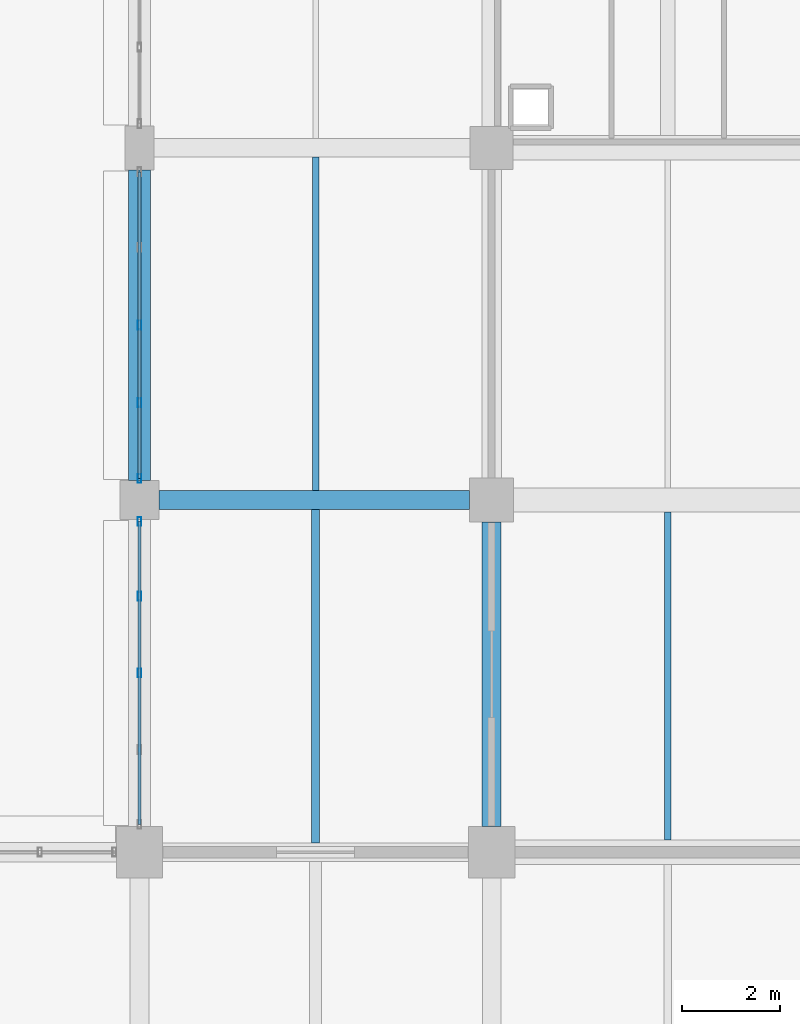
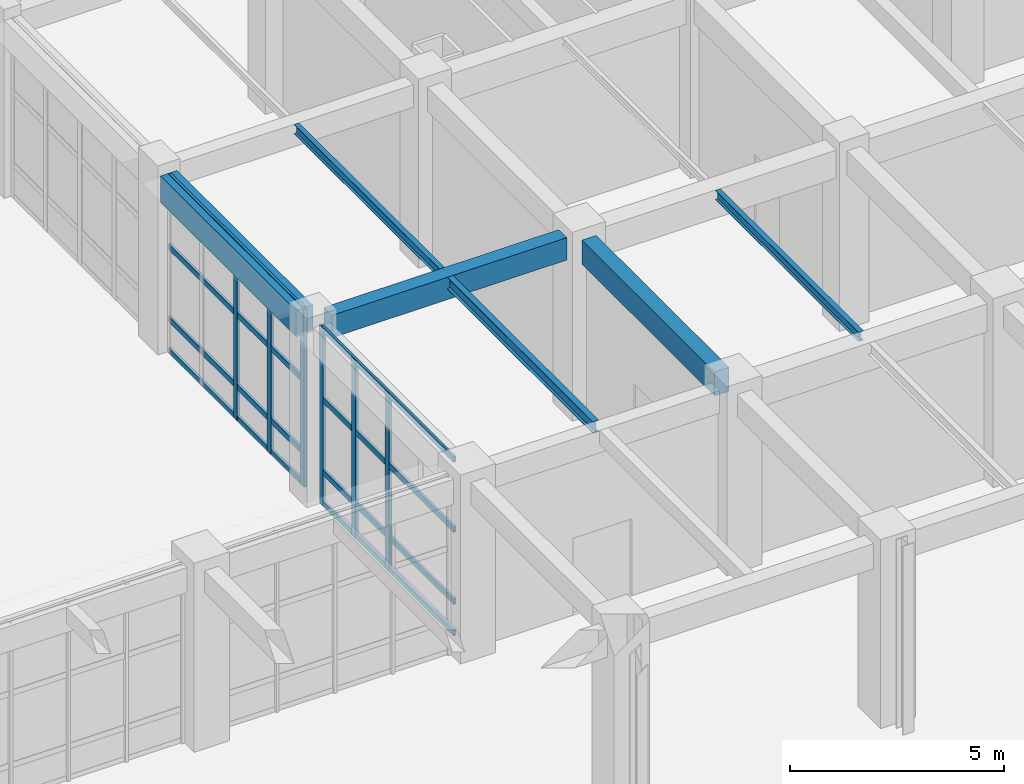
# One storey, part 95 of 160: 14 members, 6 beams, 2 elements without a shape of their own.
"""IFC4 building model written with IfcOpenShell, lengths in metres."""

from ifc_helpers import new_model, si_unit, direction, frame, origin, origin_2d, place, context, subcontext, project, spatial, rectangle, hollow_rectangle, i_section, extrude, material, material_profile, profile_set, type_object, element, aggregate, save


model = new_model("IFC4")

# Units and contexts
model_context = context("Model", 3, precision=1e-05, world=origin(), true_north=direction((0.0, 1.0)))
body_context = subcontext(model_context, "Body", "Model", "MODEL_VIEW")
ifc_project = project(units=[si_unit("LENGTHUNIT", "METRE"), si_unit("AREAUNIT", "SQUARE_METRE"), si_unit("VOLUMEUNIT", "CUBIC_METRE"), si_unit("PLANEANGLEUNIT", "RADIAN"), si_unit("MASSUNIT", "GRAM", prefix="KILO")], contexts=[model_context])

# Site, building, storey
site_placement = place(None, origin())
site = spatial("IfcSite", under=ifc_project, at=site_placement, CompositionType="ELEMENT")
building_placement = place(site_placement, origin())
building = spatial("IfcBuilding", under=site, at=building_placement, Name="Thalmaran Polytechnic", CompositionType="ELEMENT")
storey_placement = place(building_placement, origin())
storey = spatial("IfcBuildingStorey", under=building, at=storey_placement, Name="L00", CompositionType="ELEMENT", Elevation=0.0)

# Beams
ifc_material_1 = material(Name="Concrete C40/50", Category="concrete")
ifc_material_profile_1 = material_profile(ifc_material_1, rectangle(XDim=0.389892578125, YDim=0.68505859375, at=origin_2d()), Name="RC 390x685")
ifc_profile_set_1 = profile_set([ifc_material_profile_1], Name="Concrete C40/50")
beam_type_1 = type_object("IfcBeamType", Name="BM-RC08", PredefinedType="BEAM", material=ifc_profile_set_1)
beam_1_placement = place(storey_placement, frame((136.800048828125, 58.125, 4.74755859375), z_axis=(0.0, 1.0, 0.0), x_axis=(-1.0, 0.0, 0.0)))
element("IfcBeam", 1, at=beam_1_placement, inside=storey, type_object=beam_type_1, Name="Grid Beam B08 L00 Y(19,8)", PredefinedType="BEAM", context=body_context, shape_type="SweptSolid", body=[
    extrude(rectangle(XDim=0.389892578125, YDim=0.68505859375, at=origin_2d()), origin(), (0.0, 0.0, 1.0), 6.22509765625),
])
ifc_material_2 = material(Name="Steel S355", Category="steel")
ifc_material_profile_2 = material_profile(ifc_material_2, i_section(OverallWidth=0.159912109375, OverallDepth=0.330078125, WebThickness=0.007568359375, FlangeThickness=0.011474609375, at=origin_2d()), Name="IPE 330")
ifc_profile_set_2 = profile_set([ifc_material_profile_2], Name="Steel S355")
beam_type_2 = type_object("IfcBeamType", Name="BM-SJ02", PredefinedType="JOIST", material=ifc_profile_set_2)
beam_2_placement = place(storey_placement, frame((133.199951171875, 57.7900390625, 4.925048828125), z_axis=(0.0, 1.0, 0.0), x_axis=(-1.0, 0.0, 0.0)))
element("IfcBeam", 2, at=beam_2_placement, inside=storey, type_object=beam_type_2, Name="Secondary Floor Rib SJ02 L00 (18,8)", PredefinedType="JOIST", context=body_context, shape_type="SweptSolid", body=[
    extrude(i_section(OverallWidth=0.159912109375, OverallDepth=0.330078125, WebThickness=0.007568359375, FlangeThickness=0.011474609375, at=origin_2d()), origin(), (0.0, 0.0, 1.0), 6.820068359375),
])
ifc_material_profile_3 = material_profile(ifc_material_2, i_section(OverallWidth=0.135009765625, OverallDepth=0.27001953125, WebThickness=0.006591796875, FlangeThickness=0.01025390625, at=origin_2d()), Name="IPE 270")
ifc_profile_set_3 = profile_set([ifc_material_profile_3], Name="Steel S355")
beam_type_3 = type_object("IfcBeamType", Name="BM-SJ03", PredefinedType="JOIST", material=ifc_profile_set_3)
beam_3_placement = place(storey_placement, frame((133.199951171875, 64.989990234375, 4.955078125), z_axis=(0.0, 1.0, 0.0), x_axis=(-1.0, 0.0, 0.0)))
element("IfcBeam", 3, at=beam_3_placement, inside=storey, type_object=beam_type_3, Name="Secondary Floor Rib SJ03 L00 (18,9)", PredefinedType="JOIST", context=body_context, shape_type="SweptSolid", body=[
    extrude(i_section(OverallWidth=0.135009765625, OverallDepth=0.27001953125, WebThickness=0.006591796875, FlangeThickness=0.01025390625, at=origin_2d()), origin(), (0.0, 0.0, 1.0), 6.820068359375),
])
beam_4_placement = place(storey_placement, frame((140.39990234375, 57.85009765625, 4.955078125), z_axis=(0.0, 1.0, 0.0), x_axis=(-1.0, 0.0, 0.0)))
element("IfcBeam", 4, at=beam_4_placement, inside=storey, type_object=beam_type_3, Name="Secondary Floor Rib SJ03 L00 (19,8)", PredefinedType="JOIST", context=body_context, shape_type="SweptSolid", body=[
    extrude(i_section(OverallWidth=0.135009765625, OverallDepth=0.27001953125, WebThickness=0.006591796875, FlangeThickness=0.01025390625, at=origin_2d()), origin(), (0.0, 0.0, 1.0), 6.699951171875),
])
ifc_material_profile_4 = material_profile(ifc_material_1, rectangle(XDim=0.449951171875, YDim=0.7548828125, at=origin_2d()), Name="RC 450x755")
ifc_profile_set_4 = profile_set([ifc_material_profile_4], Name="Concrete C40/50")
beam_type_4 = type_object("IfcBeamType", Name="BM-SP02", PredefinedType="SPANDREL", material=ifc_profile_set_4)
beam_5_placement = place(storey_placement, frame((129.60009765625, 65.199951171875, 4.71240234375), z_axis=(0.0, 1.0, 0.0), x_axis=(-1.0, 0.0, 0.0)))
element("IfcBeam", 5, at=beam_5_placement, inside=storey, type_object=beam_type_4, Name="Grid Beam SP02 L00 Y(18,9)", PredefinedType="SPANDREL", context=body_context, shape_type="SweptSolid", body=[
    extrude(rectangle(XDim=0.449951171875, YDim=0.7548828125, at=origin_2d()), origin(), (0.0, 0.0, 1.0), 6.35009765625),
])
ifc_material_profile_5 = material_profile(ifc_material_1, rectangle(XDim=0.3798828125, YDim=0.639892578125, at=origin_2d()), Name="RC 380x640")
ifc_profile_set_5 = profile_set([ifc_material_profile_5], Name="Concrete C40/50")
beam_type_5 = type_object("IfcBeamType", Name="BM-ZB05", PredefinedType="BEAM", material=ifc_profile_set_5)
beam_6_placement = place(storey_placement, frame((130.0, 64.800048828125, 4.77001953125), z_axis=(1.0, 0.0, 0.0), x_axis=(0.0, 1.0, 0.0)))
element("IfcBeam", 6, at=beam_6_placement, inside=storey, type_object=beam_type_5, Name="Grid Beam ZB05 L00 X(18,9)", PredefinedType="BEAM", context=body_context, shape_type="SweptSolid", body=[
    extrude(rectangle(XDim=0.3798828125, YDim=0.639892578125, at=origin_2d()), origin(), (0.0, 0.0, 1.0), 6.35009765625),
])

# Curtain wall, members
ifc_material_3 = material(Name="Aluminium 6063-T6", Category="aluminium")
curtain_wall_type = type_object("IfcCurtainWallType", Name="CW-UC01", PredefinedType="USERDEFINED", material=ifc_material_3)
curtain_wall_1_placement = place(storey_placement, origin())
curtain_wall_1 = element("IfcCurtainWall", 7, at=curtain_wall_1_placement, inside=storey, type_object=curtain_wall_type, Name="Curtain Wall CW-L00-067", ObjectType="UNITISED CURTAIN WALL", PredefinedType="USERDEFINED")
ifc_material_profile_6 = material_profile(ifc_material_3, hollow_rectangle(XDim=0.080078125, YDim=0.179931640625, WallThickness=0.0048828125, at=origin_2d()), Name="RHS 180x80x5.0")
ifc_profile_set_6 = profile_set([ifc_material_profile_6], Name="Aluminium 6063-T6")
member_type_1 = type_object("IfcMemberType", Name="CW-MUL1", PredefinedType="MULLION", material=ifc_profile_set_6)
member_1_placement = place(storey_placement, frame((129.60009765625, 61.262451171875, 0.0), z_axis=(0.0, 0.0, 1.0), x_axis=(1.0, 0.0, 0.0)))
member_1 = element("IfcMember", 8, at=member_1_placement, type_object=member_type_1, Name="CW-L00-067 Mullion 3", PredefinedType="MULLION", context=body_context, shape_type="SweptSolid", body=[
    extrude(hollow_rectangle(XDim=0.080078125, YDim=0.179931640625, WallThickness=0.0048828125, at=origin_2d()), origin(), (0.0, 0.0, 1.0), 5.090087890625),
])
member_2_placement = place(storey_placement, frame((129.60009765625, 62.831298828125, 0.0), z_axis=(0.0, 0.0, 1.0), x_axis=(1.0, 0.0, 0.0)))
member_2 = element("IfcMember", 9, at=member_2_placement, type_object=member_type_1, Name="CW-L00-067 Mullion 4", PredefinedType="MULLION", context=body_context, shape_type="SweptSolid", body=[
    extrude(hollow_rectangle(XDim=0.080078125, YDim=0.179931640625, WallThickness=0.0048828125, at=origin_2d()), origin(), (0.0, 0.0, 1.0), 5.090087890625),
])
member_3_placement = place(storey_placement, frame((129.60009765625, 64.360107421875, 0.0), z_axis=(0.0, 0.0, 1.0), x_axis=(1.0, 0.0, 0.0)))
member_3 = element("IfcMember", 10, at=member_3_placement, type_object=member_type_1, Name="CW-L00-067 Mullion 5", PredefinedType="MULLION", context=body_context, shape_type="SweptSolid", body=[
    extrude(hollow_rectangle(XDim=0.080078125, YDim=0.179931640625, WallThickness=0.0048828125, at=origin_2d()), origin(), (0.0, 0.0, 1.0), 5.090087890625),
])

curtain_wall_2_placement = place(storey_placement, origin())
curtain_wall_2 = element("IfcCurtainWall", 11, at=curtain_wall_2_placement, inside=storey, type_object=curtain_wall_type, Name="Curtain Wall CW-L00-068", ObjectType="UNITISED CURTAIN WALL", PredefinedType="USERDEFINED")
member_4_placement = place(storey_placement, frame((129.60009765625, 65.239990234375, 0.0), z_axis=(0.0, 0.0, 1.0), x_axis=(1.0, 0.0, 0.0)))
member_4 = element("IfcMember", 12, at=member_4_placement, type_object=member_type_1, Name="CW-L00-068 Mullion 1", PredefinedType="MULLION", context=body_context, shape_type="SweptSolid", body=[
    extrude(hollow_rectangle(XDim=0.080078125, YDim=0.179931640625, WallThickness=0.0048828125, at=origin_2d()), origin(), (0.0, 0.0, 1.0), 5.090087890625),
])
member_5_placement = place(storey_placement, frame((129.60009765625, 66.78759765625, 0.0), z_axis=(0.0, 0.0, 1.0), x_axis=(1.0, 0.0, 0.0)))
member_5 = element("IfcMember", 13, at=member_5_placement, type_object=member_type_1, Name="CW-L00-068 Mullion 2", PredefinedType="MULLION", context=body_context, shape_type="SweptSolid", body=[
    extrude(hollow_rectangle(XDim=0.080078125, YDim=0.179931640625, WallThickness=0.0048828125, at=origin_2d()), origin(), (0.0, 0.0, 1.0), 5.090087890625),
])
member_6_placement = place(storey_placement, frame((129.60009765625, 68.375, 0.0), z_axis=(0.0, 0.0, 1.0), x_axis=(1.0, 0.0, 0.0)))
member_6 = element("IfcMember", 14, at=member_6_placement, type_object=member_type_1, Name="CW-L00-068 Mullion 3", PredefinedType="MULLION", context=body_context, shape_type="SweptSolid", body=[
    extrude(hollow_rectangle(XDim=0.080078125, YDim=0.179931640625, WallThickness=0.0048828125, at=origin_2d()), origin(), (0.0, 0.0, 1.0), 5.090087890625),
])

# Member
ifc_material_profile_7 = material_profile(ifc_material_3, hollow_rectangle(XDim=0.070068359375, YDim=0.159912109375, WallThickness=0.00390625, at=origin_2d()), Name="AL 160x70x4.0")
ifc_profile_set_7 = profile_set([ifc_material_profile_7], Name="Aluminium 6063-T6")
member_type_2 = type_object("IfcMemberType", Name="CW-TRN1", PredefinedType="USERDEFINED", material=ifc_profile_set_7)
member_7_placement = place(storey_placement, frame((129.60009765625, 58.1650390625, 0.06005859375), z_axis=(0.0, 1.0, 0.0), x_axis=(-1.0, 0.0, 0.0)))
member_7 = element("IfcMember", 15, at=member_7_placement, type_object=member_type_2, Name="CW-L00-067 Transom 1", ObjectType="TRANSOM", PredefinedType="USERDEFINED", context=body_context, shape_type="SweptSolid", body=[
    extrude(hollow_rectangle(XDim=0.070068359375, YDim=0.159912109375, WallThickness=0.00390625, at=origin_2d()), origin(), (0.0, 0.0, 1.0), 6.195068359375),
])

member_8_placement = place(storey_placement, frame((129.60009765625, 58.1650390625, 0.9599609375), z_axis=(0.0, 1.0, 0.0), x_axis=(-1.0, 0.0, 0.0)))
member_8 = element("IfcMember", 16, at=member_8_placement, type_object=member_type_2, Name="CW-L00-067 Transom 2", ObjectType="TRANSOM", PredefinedType="USERDEFINED", context=body_context, shape_type="SweptSolid", body=[
    extrude(hollow_rectangle(XDim=0.070068359375, YDim=0.159912109375, WallThickness=0.00390625, at=origin_2d()), origin(), (0.0, 0.0, 1.0), 6.195068359375),
])

member_9_placement = place(storey_placement, frame((129.60009765625, 58.1650390625, 3.02490234375), z_axis=(0.0, 1.0, 0.0), x_axis=(-1.0, 0.0, 0.0)))
member_9 = element("IfcMember", 17, at=member_9_placement, type_object=member_type_2, Name="CW-L00-067 Transom 3", ObjectType="TRANSOM", PredefinedType="USERDEFINED", context=body_context, shape_type="SweptSolid", body=[
    extrude(hollow_rectangle(XDim=0.070068359375, YDim=0.159912109375, WallThickness=0.00390625, at=origin_2d()), origin(), (0.0, 0.0, 1.0), 6.195068359375),
])

member_10_placement = place(storey_placement, frame((129.60009765625, 58.1650390625, 5.030029296875), z_axis=(0.0, 1.0, 0.0), x_axis=(-1.0, 0.0, 0.0)))
member_10 = element("IfcMember", 18, at=member_10_placement, type_object=member_type_2, Name="CW-L00-067 Transom 4", ObjectType="TRANSOM", PredefinedType="USERDEFINED", context=body_context, shape_type="SweptSolid", body=[
    extrude(hollow_rectangle(XDim=0.070068359375, YDim=0.159912109375, WallThickness=0.00390625, at=origin_2d()), origin(), (0.0, 0.0, 1.0), 6.195068359375),
])

aggregate(curtain_wall_1, [member_1, member_2, member_3, member_7, member_8, member_9, member_10])

member_11_placement = place(storey_placement, frame((129.60009765625, 65.239990234375, 0.06005859375), z_axis=(0.0, 1.0, 0.0), x_axis=(-1.0, 0.0, 0.0)))
member_11 = element("IfcMember", 19, at=member_11_placement, type_object=member_type_2, Name="CW-L00-068 Transom 1", ObjectType="TRANSOM", PredefinedType="USERDEFINED", context=body_context, shape_type="SweptSolid", body=[
    extrude(hollow_rectangle(XDim=0.070068359375, YDim=0.159912109375, WallThickness=0.00390625, at=origin_2d()), origin(), (0.0, 0.0, 1.0), 6.27001953125),
])

member_12_placement = place(storey_placement, frame((129.60009765625, 65.239990234375, 0.9599609375), z_axis=(0.0, 1.0, 0.0), x_axis=(-1.0, 0.0, 0.0)))
member_12 = element("IfcMember", 20, at=member_12_placement, type_object=member_type_2, Name="CW-L00-068 Transom 2", ObjectType="TRANSOM", PredefinedType="USERDEFINED", context=body_context, shape_type="SweptSolid", body=[
    extrude(hollow_rectangle(XDim=0.070068359375, YDim=0.159912109375, WallThickness=0.00390625, at=origin_2d()), origin(), (0.0, 0.0, 1.0), 6.27001953125),
])

member_13_placement = place(storey_placement, frame((129.60009765625, 65.239990234375, 3.02490234375), z_axis=(0.0, 1.0, 0.0), x_axis=(-1.0, 0.0, 0.0)))
member_13 = element("IfcMember", 21, at=member_13_placement, type_object=member_type_2, Name="CW-L00-068 Transom 3", ObjectType="TRANSOM", PredefinedType="USERDEFINED", context=body_context, shape_type="SweptSolid", body=[
    extrude(hollow_rectangle(XDim=0.070068359375, YDim=0.159912109375, WallThickness=0.00390625, at=origin_2d()), origin(), (0.0, 0.0, 1.0), 6.27001953125),
])

member_14_placement = place(storey_placement, frame((129.60009765625, 65.239990234375, 5.030029296875), z_axis=(0.0, 1.0, 0.0), x_axis=(-1.0, 0.0, 0.0)))
member_14 = element("IfcMember", 22, at=member_14_placement, type_object=member_type_2, Name="CW-L00-068 Transom 4", ObjectType="TRANSOM", PredefinedType="USERDEFINED", context=body_context, shape_type="SweptSolid", body=[
    extrude(hollow_rectangle(XDim=0.070068359375, YDim=0.159912109375, WallThickness=0.00390625, at=origin_2d()), origin(), (0.0, 0.0, 1.0), 6.27001953125),
])

aggregate(curtain_wall_2, [member_4, member_5, member_6, member_11, member_12, member_13, member_14])

save(model, "model.ifc")
